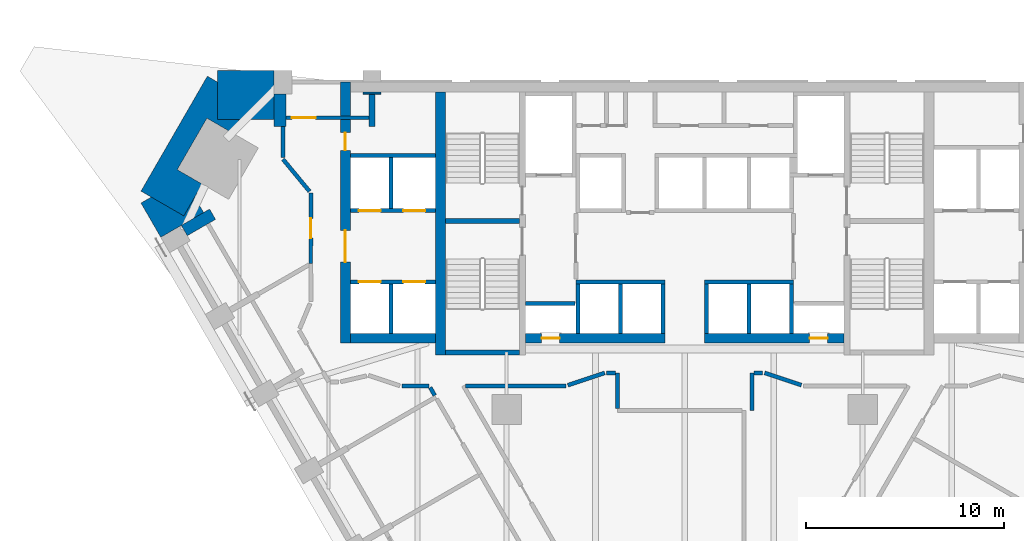
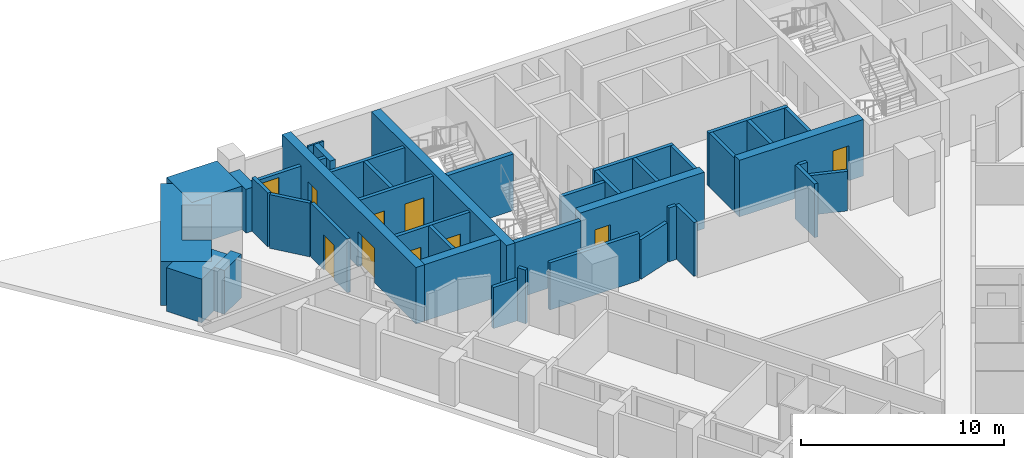
# One storey, part 6 of 10: 41 walls, 10 doors, 10 openings.
"""IFC4 building model written with IfcOpenShell, lengths in metres."""

from ifc_helpers import new_model, si_unit, direction, frame, frame_2d, origin, place, context, subcontext, project, spatial, polyline, rectangle, outline, extrude, material, layer, layer_set, type_object, element, fill, save


model = new_model("IFC4")

# Units and contexts
model_context = context("Model", 3, precision=1e-05, world=origin(), true_north=direction((0.0, 1.0)))
body_context = subcontext(model_context, "Body", "Model", "MODEL_VIEW")
ifc_project = project(units=[si_unit("LENGTHUNIT", "METRE"), si_unit("AREAUNIT", "SQUARE_METRE"), si_unit("VOLUMEUNIT", "CUBIC_METRE"), si_unit("PLANEANGLEUNIT", "RADIAN"), si_unit("MASSUNIT", "GRAM", prefix="KILO")], contexts=[model_context])

# Site, building, storey
site_placement = place(None, origin())
site = spatial("IfcSite", under=ifc_project, at=site_placement, CompositionType="ELEMENT")
building_placement = place(site_placement, origin())
building = spatial("IfcBuilding", under=site, at=building_placement, Name="Calabash Gate Tower", CompositionType="ELEMENT")
storey_placement = place(building_placement, frame((0.0, 0.0, 91.800048828125)))
storey = spatial("IfcBuildingStorey", under=building, at=storey_placement, Name="L19", CompositionType="ELEMENT", Elevation=91.800048828125)

# Walls
ifc_material_1 = material(Name="Terracotta brick masonry, exposed face", Category="masonry")
ifc_layer_1 = layer(ifc_material_1, 2.5)
ifc_layer_set_1 = layer_set([ifc_layer_1], Name="Brick corner mass wall 2500")
wall_type_1 = type_object("IfcWallType", Name="Brick corner mass wall 2500", PredefinedType="SOLIDWALL", material=ifc_layer_set_1)
wall_1_placement = place(storey_placement, origin())
element("IfcWall", 1, at=wall_1_placement, inside=storey, type_object=wall_type_1, Name="Brick corner pier S05 3a", PredefinedType="SOLIDWALL", context=body_context, shape_type="SweptSolid", body=[
    extrude(outline(polyline([(-23.610107421875, 17.152587890625), (-20.755126953125, 17.152587890625), (-20.755126953125, 19.652587890625), (-23.610107421875, 19.652587890625), (-23.610107421875, 17.152587890625)])), origin(), (0.0, 0.0, 1.0), 2.6298828125),
])
wall_2_placement = place(storey_placement, origin())
element("IfcWall", 2, at=wall_2_placement, inside=storey, type_object=wall_type_1, Name="Brick corner pier S05 3b", PredefinedType="SOLIDWALL", context=body_context, shape_type="SweptSolid", body=[
    extrude(outline(polyline([(-22.89111328125, 16.498046875), (-22.51318359375, 17.152587890625), (-23.610107421875, 17.152587890625), (-23.610107421875, 19.052490234375), (-24.1298828125, 19.3525390625), (-27.485107421875, 13.540771484375), (-25.320068359375, 12.290771484375), (-24.39111328125, 13.89990234375), (-25.652099609375, 14.6279296875), (-24.152099609375, 17.22607421875), (-22.89111328125, 16.498046875)])), origin(), (0.0, 0.0, 1.0), 2.6298828125),
])
wall_3_placement = place(storey_placement, origin())
element("IfcWall", 3, at=wall_3_placement, inside=storey, type_object=wall_type_1, Name="Brick corner pier S05 3c", PredefinedType="SOLIDWALL", context=body_context, shape_type="SweptSolid", body=[
    extrude(outline(polyline([(-24.771728515625, 13.240966796875), (-25.320068359375, 12.290771484375), (-26.965576171875, 13.240966796875), (-27.485107421875, 12.94091796875), (-26.4853515625, 11.208984375), (-24.3203125, 12.458984375), (-24.771728515625, 13.240966796875)])), origin(), (0.0, 0.0, 1.0), 2.6298828125),
])
ifc_material_2 = material(Name="Terracotta brick masonry, exposed face", Category="masonry")
ifc_layer_2 = layer(ifc_material_2, 1.199951171875)
ifc_layer_set_2 = layer_set([ifc_layer_2], Name="Brick end wall 1200")
wall_type_2 = type_object("IfcWallType", Name="Brick end wall 1200", PredefinedType="SOLIDWALL", material=ifc_layer_set_2)
wall_4_placement = place(storey_placement, origin())
element("IfcWall", 4, at=wall_4_placement, inside=storey, type_object=wall_type_2, Name="Brick pier S05 N6.7b", PredefinedType="SOLIDWALL", context=body_context, shape_type="SweptSolid", body=[
    extrude(outline(polyline([(-15.35498046875, 18.45263671875), (-15.35498046875, 18.552490234375), (-16.255126953125, 18.552490234375), (-16.255126953125, 18.45263671875), (-15.35498046875, 18.45263671875)])), origin(), (0.0, 0.0, 1.0), 2.64990234375),
])
ifc_material_3 = material(Name="Terracotta brick masonry, exposed face", Category="masonry")
ifc_layer_3 = layer(ifc_material_3, 0.300048828125)
ifc_layer_set_3 = layer_set([ifc_layer_3], Name="Brick loggia cheek wall 300")
wall_type_3 = type_object("IfcWallType", Name="Brick loggia cheek wall 300", PredefinedType="SOLIDWALL", material=ifc_layer_set_3)
wall_5_placement = place(storey_placement, frame((-25.296142578125, 11.54931640625, 0.0), z_axis=(0.0, 0.0, 1.0), x_axis=(0.866040211805, 0.499974350878, 0.0)))
element("IfcWall", 5, at=wall_5_placement, inside=storey, type_object=wall_type_3, Name="Loggia cheek S05 SW0.0", PredefinedType="SOLIDWALL", context=body_context, shape_type="SweptSolid", body=[
    extrude(rectangle(XDim=1.64990234375, YDim=0.60009765625, at=frame_2d((0.824951171875, 0.0))), origin(), (0.0, 0.0, 1.0), 2.6298828125),
])
wall_6_placement = place(storey_placement, origin())
element("IfcWall", 6, at=wall_6_placement, inside=storey, type_object=wall_type_3, Name="Loggia cheek S05 N6.7", PredefinedType="SOLIDWALL", context=body_context, shape_type="SweptSolid", body=[
    extrude(outline(polyline([(-15.655029296875, 16.802490234375), (-15.655029296875, 18.45263671875), (-15.955078125, 18.45263671875), (-15.955078125, 16.802490234375), (-15.655029296875, 16.802490234375)])), origin(), (0.0, 0.0, 1.0), 2.64990234375),
])
wall_7_placement = place(storey_placement, origin())
element("IfcWall", 7, at=wall_7_placement, inside=storey, type_object=wall_type_3, Name="Loggia cheek S05 N6.8", PredefinedType="SOLIDWALL", context=body_context, shape_type="SweptSolid", body=[
    extrude(outline(polyline([(-20.755126953125, 18.45263671875), (-20.755126953125, 16.802490234375), (-20.155029296875, 16.802490234375), (-20.155029296875, 18.45263671875), (-20.755126953125, 18.45263671875)])), origin(), (0.0, 0.0, 1.0), 2.6298828125),
])
ifc_material_4 = material(Name="Concrete C80/95", Category="concrete")
ifc_layer_4 = layer(ifc_material_4, 0.25)
ifc_layer_set_4 = layer_set([ifc_layer_4], Name="Core wall 250 Concrete C80/95")
wall_type_4 = type_object("IfcWallType", Name="Core wall 250 Concrete C80/95", PredefinedType="SHEAR", material=ifc_layer_set_4)
for number, where, z_axis, x_axis, name in (
    (8, (-12.10009765625, 12.027587890625, 0.0), (0.0, 0.0, 1.0), (1.0, 0.0, 0.0), "Core wall Z2-MIDW L19"),
    (9, (-12.10009765625, 5.377685546875, 0.0), (0.0, 0.0, 1.0), (1.0, 0.0, 0.0), "Core wall Z2-SSW L19"),
):
    element("IfcWall", number, at=place(storey_placement, frame(where, z_axis=z_axis, x_axis=x_axis)), inside=storey, type_object=wall_type_4, Name=name, PredefinedType="SHEAR", context=body_context, shape_type="SweptSolid", body=[
        extrude(rectangle(XDim=3.75, YDim=0.25, at=frame_2d((1.875, 0.0))), origin(), (0.0, 0.0, 1.0), 3.39990234375),
    ])
ifc_material_5 = material(Name="Concrete C80/95", Category="concrete")
ifc_layer_5 = layer(ifc_material_5, 0.5)
ifc_layer_set_5 = layer_set([ifc_layer_5], Name="Core wall 500 Concrete C80/95")
wall_type_5 = type_object("IfcWallType", Name="Core wall 500 Concrete C80/95", PredefinedType="SHEAR", material=ifc_layer_set_5)
wall_8_placement = place(storey_placement, frame((-12.35009765625, 5.252685546875, 0.0), z_axis=(0.0, 0.0, 1.0), x_axis=(0.0, 1.0, 0.0)))
element("IfcWall", 10, at=wall_8_placement, inside=storey, type_object=wall_type_5, Name="Core wall Z2-COLW L19", PredefinedType="SHEAR", context=body_context, shape_type="SweptSolid", body=[
    extrude(rectangle(XDim=13.2998046875, YDim=0.5, at=frame_2d((6.64990234375, 0.0))), origin(), (0.0, 0.0, 1.0), 3.39990234375),
])

# Wall, opening, door
wall_9_placement = place(storey_placement, frame((-8.050048828125, 6.1025390625, 0.0), z_axis=(0.0, 0.0, 1.0), x_axis=(1.0, 0.0, 0.0)))
wall_9 = element("IfcWall", 11, at=wall_9_placement, inside=storey, type_object=wall_type_5, Name="Core wall Z2-SA L19", PredefinedType="SHEAR", context=body_context, shape_type="SweptSolid", body=[
    extrude(rectangle(XDim=7.050048828125, YDim=0.5, at=frame_2d((3.52490234375, 0.0))), origin(), (0.0, 0.0, 1.0), 3.39990234375),
])
opening_1_placement = place(wall_9_placement, frame((0.824951171875, 0.0, 0.0)))
opening_1 = element("IfcOpeningElement", 12, at=opening_1_placement, cuts=wall_9, Name="Opening H5-013", PredefinedType="OPENING", context=body_context, shape_type="SweptSolid", body=[
    extrude(rectangle(XDim=0.89990234375, YDim=2.10009765625, at=frame_2d((0.449951171875, 1.050048828125))), frame((0.0, 0.260009765625, 0.0), z_axis=(0.0, -1.0, 0.0), x_axis=(1.0, 0.0, 0.0)), (0.0, 0.0, 1.0), 0.52001953125),
])
ifc_material_6 = material(Name="Steel fire door set with fire-resisting glazing", Category="steel")
door_type_1 = type_object("IfcDoorType", Name="Fire door D07 900x2100 FD90", OperationType="NOTDEFINED", PredefinedType="DOOR", material=ifc_material_6)
door_1_placement = place(opening_1_placement, origin())
door_1 = element("IfcDoor", 13, at=door_1_placement, inside=storey, type_object=door_type_1, Name="Electrical Riser W door", OperationType="SINGLE_SWING_LEFT", OverallHeight=2.10009765625, OverallWidth=0.89990234375, PredefinedType="DOOR", context=body_context, shape_type="SweptSolid", body=[
    extrude(rectangle(XDim=0.89990234375, YDim=2.10009765625, at=frame_2d((0.449951171875, 1.050048828125))), frame((0.0, 0.02490234375, 0.0), z_axis=(0.0, -1.0, 0.0), x_axis=(1.0, 0.0, 0.0)), (0.0, 0.0, 1.0), 0.050048828125),
])
fill(opening_1, door_1)

wall_10_placement = place(storey_placement, frame((1.0, 6.1025390625, 0.0), z_axis=(0.0, 0.0, 1.0), x_axis=(1.0, 0.0, 0.0)))
wall_10 = element("IfcWall", 14, at=wall_10_placement, inside=storey, type_object=wall_type_5, Name="Core wall Z2-SB L19", PredefinedType="SHEAR", context=body_context, shape_type="SweptSolid", body=[
    extrude(rectangle(XDim=7.050048828125, YDim=0.5, at=frame_2d((3.52490234375, 0.0))), origin(), (0.0, 0.0, 1.0), 3.39990234375),
])
opening_2_placement = place(wall_10_placement, frame((5.324951171875, 0.0, 0.0)))
opening_2 = element("IfcOpeningElement", 15, at=opening_2_placement, cuts=wall_10, Name="Opening H5-012", PredefinedType="OPENING", context=body_context, shape_type="SweptSolid", body=[
    extrude(rectangle(XDim=0.89990234375, YDim=2.10009765625, at=frame_2d((0.449951171875, 1.050048828125))), frame((0.0, 0.260009765625, 0.0), z_axis=(0.0, -1.0, 0.0), x_axis=(1.0, 0.0, 0.0)), (0.0, 0.0, 1.0), 0.52001953125),
])
door_2_placement = place(opening_2_placement, origin())
door_2 = element("IfcDoor", 16, at=door_2_placement, inside=storey, type_object=door_type_1, Name="Mechanical Riser E door", OperationType="SINGLE_SWING_RIGHT", OverallHeight=2.10009765625, OverallWidth=0.89990234375, PredefinedType="DOOR", context=body_context, shape_type="SweptSolid", body=[
    extrude(rectangle(XDim=0.89990234375, YDim=2.10009765625, at=frame_2d((0.449951171875, 1.050048828125))), frame((0.0, 0.02490234375, 0.0), z_axis=(0.0, -1.0, 0.0), x_axis=(1.0, 0.0, 0.0)), (0.0, 0.0, 1.0), 0.050048828125),
])
fill(opening_2, door_2)

# Wall
wall_11_placement = place(storey_placement, frame((-12.60009765625, 6.1025390625, 0.0), z_axis=(0.0, 0.0, 1.0), x_axis=(-1.0, 0.0, 0.0)))
element("IfcWall", 17, at=wall_11_placement, inside=storey, type_object=wall_type_5, Name="Core wall Z2-SW L19", PredefinedType="SHEAR", context=body_context, shape_type="SweptSolid", body=[
    extrude(rectangle(XDim=4.2998046875, YDim=0.5, at=frame_2d((2.14990234375, 0.0))), origin(), (0.0, 0.0, 1.0), 3.39990234375),
])

# Wall, openings, doors
wall_12_placement = place(storey_placement, frame((-17.14990234375, 5.8525390625, 0.0), z_axis=(0.0, 0.0, 1.0), x_axis=(0.0, 1.0, 0.0)))
wall_12 = element("IfcWall", 18, at=wall_12_placement, inside=storey, type_object=wall_type_5, Name="Core wall Z2-ENDW L19", PredefinedType="SHEAR", context=body_context, shape_type="SweptSolid", body=[
    extrude(rectangle(XDim=13.199951171875, YDim=0.5, at=frame_2d((6.60009765625, 0.0))), origin(), (0.0, 0.0, 1.0), 3.39990234375),
])
opening_3_placement = place(wall_12_placement, frame((4.10009765625, 0.0, 0.0)))
opening_3 = element("IfcOpeningElement", 19, at=opening_3_placement, cuts=wall_12, Name="Opening H5-003", PredefinedType="OPENING", context=body_context, shape_type="SweptSolid", body=[
    extrude(rectangle(XDim=1.60009765625, YDim=2.10009765625, at=frame_2d((0.800048828125, 1.050048828125))), frame((0.0, 0.260009765625, 0.0), z_axis=(0.0, -1.0, 0.0), x_axis=(1.0, 0.0, 0.0)), (0.0, 0.0, 1.0), 0.52001953125),
])
opening_4_placement = place(wall_12_placement, frame((9.75, 0.0, 0.0)))
opening_4 = element("IfcOpeningElement", 20, at=opening_4_placement, cuts=wall_12, Name="Opening H5-004", PredefinedType="OPENING", context=body_context, shape_type="SweptSolid", body=[
    extrude(rectangle(XDim=0.89990234375, YDim=2.10009765625, at=frame_2d((0.449951171875, 1.050048828125))), frame((0.0, 0.260009765625, 0.0), z_axis=(0.0, -1.0, 0.0), x_axis=(1.0, 0.0, 0.0)), (0.0, 0.0, 1.0), 0.52001953125),
])
ifc_material_7 = material(Name="Steel fire door set with fire-resisting glazing", Category="steel")
door_type_2 = type_object("IfcDoorType", Name="Double fire door D08 1600x2100 FD60", OperationType="DOUBLE_DOOR_SINGLE_SWING", PredefinedType="DOOR", material=ifc_material_7)
door_3_placement = place(opening_3_placement, origin())
door_3 = element("IfcDoor", 21, at=door_3_placement, inside=storey, type_object=door_type_2, Name="Low-rise Lift Lobby W door", OperationType="DOUBLE_DOOR_SINGLE_SWING", OverallHeight=2.10009765625, OverallWidth=1.60009765625, PredefinedType="DOOR", context=body_context, shape_type="SweptSolid", body=[
    extrude(rectangle(XDim=1.60009765625, YDim=2.10009765625, at=frame_2d((0.800048828125, 1.050048828125))), frame((0.0, 0.02490234375, 0.0), z_axis=(0.0, -1.0, 0.0), x_axis=(1.0, 0.0, 0.0)), (0.0, 0.0, 1.0), 0.050048828125),
])
fill(opening_3, door_3)
ifc_material_8 = material(Name="Steel fire door set with fire-resisting glazing", Category="steel")
door_type_3 = type_object("IfcDoorType", Name="Fire door D06 900x2100 FD60", OperationType="NOTDEFINED", PredefinedType="DOOR", material=ifc_material_8)
door_4_placement = place(opening_4_placement, origin())
door_4 = element("IfcDoor", 22, at=door_4_placement, inside=storey, type_object=door_type_3, Name="Linen Store door", OperationType="SINGLE_SWING_RIGHT", OverallHeight=2.10009765625, OverallWidth=0.89990234375, PredefinedType="DOOR", context=body_context, shape_type="SweptSolid", body=[
    extrude(rectangle(XDim=0.89990234375, YDim=2.10009765625, at=frame_2d((0.449951171875, 1.050048828125))), frame((0.0, 0.02490234375, 0.0), z_axis=(0.0, -1.0, 0.0), x_axis=(1.0, 0.0, 0.0)), (0.0, 0.0, 1.0), 0.050048828125),
])
fill(opening_4, door_4)

# Walls
ifc_material_9 = material(Name="Gypsum board on steel studs, mineral wool", Category="steel")
ifc_layer_6 = layer(ifc_material_9, 0.199951171875)
ifc_layer_set_6 = layer_set([ifc_layer_6], Name="Partition 200 gypsum board EI 60")
wall_type_6 = type_object("IfcWallType", Name="Partition 200 gypsum board EI 60", PredefinedType="PARTITIONING", material=ifc_layer_set_6)
wall_13_placement = place(storey_placement, frame((-3.402099609375, 4.3505859375, 0.0), z_axis=(0.0, 0.0, 1.0), x_axis=(0.001086217961, -0.999999410065, 0.0)))
element("IfcWall", 23, at=wall_13_placement, inside=storey, type_object=wall_type_6, Name="Partition", PredefinedType="PARTITIONING", context=body_context, shape_type="SweptSolid", body=[
    extrude(rectangle(XDim=1.798095703125, YDim=0.199951171875, at=frame_2d((0.89892578125, 0.0))), origin(), (0.0, 0.0, 1.0), 3.22998046875),
])
wall_14_placement = place(storey_placement, frame((-12.86279296875, 3.61279296875, 0.0), z_axis=(0.0, 0.0, 1.0), x_axis=(0.49808198686, -0.867129940877, 0.0)))
element("IfcWall", 24, at=wall_14_placement, inside=storey, type_object=wall_type_6, Name="Partition", PredefinedType="PARTITIONING", context=body_context, shape_type="SweptSolid", body=[
    extrude(rectangle(XDim=0.459716796875, YDim=0.199951171875, at=frame_2d((0.22998046875, 0.0))), origin(), (0.0, 0.0, 1.0), 3.22998046875),
])
wall_15_placement = place(storey_placement, frame((-14.300048828125, 3.699462890625, 0.0), z_axis=(0.0, 0.0, 1.0), x_axis=(1.0, 0.0, 0.0)))
element("IfcWall", 25, at=wall_15_placement, inside=storey, type_object=wall_type_6, Name="Partition", PredefinedType="PARTITIONING", context=body_context, shape_type="SweptSolid", body=[
    extrude(rectangle(XDim=1.387451171875, YDim=0.199951171875, at=frame_2d((0.69384765625, 0.0))), origin(), (0.0, 0.0, 1.0), 2.473388671875),
])
wall_16_placement = place(storey_placement, frame((-11.080078125, 3.69970703125, 0.0), z_axis=(0.0, 0.0, 1.0), x_axis=(1.0, 0.0, 0.0)))
element("IfcWall", 26, at=wall_16_placement, inside=storey, type_object=wall_type_6, Name="Partition", PredefinedType="PARTITIONING", context=body_context, shape_type="SweptSolid", body=[
    extrude(rectangle(XDim=5.080078125, YDim=0.199951171875, at=frame_2d((2.5400390625, 0.0))), origin(), (0.0, 0.0, 1.0), 2.83154296875),
])
for number, where, z_axis, x_axis, name in (
    (27, (4.042236328125, 4.352294921875, 0.0), (0.0, 0.0, 1.0), (0.948695731075, -0.316190464499, 0.0), "Partition"),
    (28, (-5.905029296875, 3.7314453125, 0.0), (0.0, 0.0, 1.0), (0.948695731075, 0.316190464499, 0.0), "Partition"),
):
    element("IfcWall", number, at=place(storey_placement, frame(where, z_axis=z_axis, x_axis=x_axis)), inside=storey, type_object=wall_type_6, Name=name, PredefinedType="PARTITIONING", context=body_context, shape_type="SweptSolid", body=[
        extrude(rectangle(XDim=1.963623046875, YDim=0.199951171875, at=frame_2d((0.98193359375, 0.0))), origin(), (0.0, 0.0, 1.0), 2.384033203125),
    ])
wall_17_placement = place(storey_placement, frame((-3.9423828125, 4.35205078125, 0.0), z_axis=(0.0, 0.0, 1.0), x_axis=(0.999996159087, -0.00277160798, 0.0)))
element("IfcWall", 29, at=wall_17_placement, inside=storey, type_object=wall_type_6, Name="Partition", PredefinedType="PARTITIONING", context=body_context, shape_type="SweptSolid", body=[
    extrude(rectangle(XDim=0.4404296875, YDim=0.199951171875, at=frame_2d((0.22021484375, 0.0))), origin(), (0.0, 0.0, 1.0), 3.22998046875),
])
wall_18_placement = place(storey_placement, frame((3.400146484375, 2.452392578125, 0.0), z_axis=(0.0, 0.0, 1.0), x_axis=(0.001028938362, 0.999999470643, 0.0)))
element("IfcWall", 30, at=wall_18_placement, inside=storey, type_object=wall_type_6, Name="Partition", PredefinedType="PARTITIONING", context=body_context, shape_type="SweptSolid", body=[
    extrude(rectangle(XDim=1.898193359375, YDim=0.199951171875, at=frame_2d((0.94921875, 0.0))), origin(), (0.0, 0.0, 1.0), 3.22998046875),
])
wall_19_placement = place(storey_placement, frame((3.501953125, 4.350830078125, 0.0), z_axis=(0.0, 0.0, 1.0), x_axis=(0.999996159087, 0.00277160798, 0.0)))
element("IfcWall", 31, at=wall_19_placement, inside=storey, type_object=wall_type_6, Name="Partition", PredefinedType="PARTITIONING", context=body_context, shape_type="SweptSolid", body=[
    extrude(rectangle(XDim=0.4404296875, YDim=0.199951171875, at=frame_2d((0.22021484375, 0.0))), origin(), (0.0, 0.0, 1.0), 3.22998046875),
])

# Wall, opening, door
wall_20_placement = place(storey_placement, frame((-18.902099609375, 9.87158203125, 0.0), z_axis=(0.0, 0.0, 1.0), x_axis=(0.000477261826, 0.999999886111, 0.0)))
wall_20 = element("IfcWall", 32, at=wall_20_placement, inside=storey, type_object=wall_type_6, Name="Partition", PredefinedType="PARTITIONING", context=body_context, shape_type="SweptSolid", body=[
    extrude(rectangle(XDim=3.580810546875, YDim=0.199951171875, at=frame_2d((1.79052734375, 0.0))), origin(), (0.0, 0.0, 1.0), 3.22998046875),
])
opening_5_placement = place(wall_20_placement, frame((1.291015625, 0.0, 0.0)))
opening_5 = element("IfcOpeningElement", 33, at=opening_5_placement, cuts=wall_20, Name="Opening 19-21-020", PredefinedType="OPENING", context=body_context, shape_type="SweptSolid", body=[
    extrude(rectangle(XDim=1.0, YDim=2.10009765625, at=frame_2d((0.5, 1.050048828125))), frame((0.0, 0.10986328125, 0.0), z_axis=(0.0, -1.0, 0.0), x_axis=(1.0, 0.0, 0.0)), (0.0, 0.0, 1.0), 0.219970703125),
])
ifc_material_10 = material(Name="Steel fire door set with fire-resisting glazing", Category="steel")
door_type_4 = type_object("IfcDoorType", Name="LD2 Meeting room door 1000x2100", OperationType="NOTDEFINED", PredefinedType="DOOR", material=ifc_material_10)
door_5_placement = place(opening_5_placement, origin())
door_5 = element("IfcDoor", 34, at=door_5_placement, inside=storey, type_object=door_type_4, Name="Meeting room door", OperationType="SINGLE_SWING_RIGHT", OverallHeight=2.10009765625, OverallWidth=1.0, PredefinedType="DOOR", context=body_context, shape_type="SweptSolid", body=[
    extrude(rectangle(XDim=1.0, YDim=2.10009765625, at=frame_2d((0.5, 1.050048828125))), frame((0.0, 0.02490234375, 0.0), z_axis=(0.0, -1.0, 0.0), x_axis=(1.0, 0.0, 0.0)), (0.0, 0.0, 1.0), 0.050048828125),
])
fill(opening_5, door_5)

# Walls
wall_21_placement = place(storey_placement, frame((-20.3056640625, 15.15234375, 0.0), z_axis=(0.0, 0.0, 1.0), x_axis=(0.637157085783, -0.770733967097, 0.0)))
element("IfcWall", 35, at=wall_21_placement, inside=storey, type_object=wall_type_6, Name="Partition", PredefinedType="PARTITIONING", context=body_context, shape_type="SweptSolid", body=[
    extrude(rectangle(XDim=2.10546875, YDim=0.199951171875, at=frame_2d((1.052734375, 0.0))), origin(), (0.0, 0.0, 1.0), 3.22998046875),
])
wall_22_placement = place(storey_placement, frame((-20.3056640625, 16.802490234375, 0.0), z_axis=(0.0, 0.0, 1.0), x_axis=(0.0, -1.0, 0.0)))
element("IfcWall", 36, at=wall_22_placement, inside=storey, type_object=wall_type_6, Name="Partition", PredefinedType="PARTITIONING", context=body_context, shape_type="SweptSolid", body=[
    extrude(rectangle(XDim=1.550048828125, YDim=0.199951171875, at=frame_2d((0.77490234375, 0.0))), origin(), (0.0, 0.0, 1.0), 3.22998046875),
])
ifc_material_11 = material(Name="Concrete C40/50", Category="concrete")
ifc_layer_7 = layer(ifc_material_11, 0.199951171875)
ifc_layer_set_7 = layer_set([ifc_layer_7], Name="Shaft wall 200 Concrete C40/50")
wall_type_7 = type_object("IfcWallType", Name="Shaft wall 200 Concrete C40/50", PredefinedType="SOLIDWALL", material=ifc_layer_set_7)
for number, where, z_axis, x_axis, name in (
    (37, (-14.85009765625, 6.3525390625, 0.0), (0.0, 0.0, 1.0), (0.0, 1.0, 0.0), "Shaft wall"),
    (38, (-5.39990234375, 6.3525390625, 0.0), (0.0, 0.0, 1.0), (0.0, 1.0, 0.0), "Shaft wall"),
    (39, (-3.25, 6.3525390625, 0.0), (0.0, 0.0, 1.0), (0.0, 1.0, 0.0), "Shaft wall"),
    (40, (-1.10009765625, 6.3525390625, 0.0), (0.0, 0.0, 1.0), (0.0, 1.0, 0.0), "Shaft wall"),
    (41, (1.10009765625, 6.3525390625, 0.0), (0.0, 0.0, 1.0), (0.0, 1.0, 0.0), "Shaft wall"),
    (42, (3.25, 6.3525390625, 0.0), (0.0, 0.0, 1.0), (0.0, 1.0, 0.0), "Shaft wall"),
    (43, (5.39990234375, 6.3525390625, 0.0), (0.0, 0.0, 1.0), (0.0, 1.0, 0.0), "Shaft wall"),
    (44, (-8.050048828125, 7.8525390625, 0.0), (0.0, 0.0, 1.0), (1.0, 0.0, 0.0), "Shaft wall"),
):
    element("IfcWall", number, at=place(storey_placement, frame(where, z_axis=z_axis, x_axis=x_axis)), inside=storey, type_object=wall_type_7, Name=name, PredefinedType="SOLIDWALL", context=body_context, shape_type="SweptSolid", body=[
        extrude(rectangle(XDim=2.5, YDim=0.199951171875, at=frame_2d((1.25, 0.0))), origin(), (0.0, 0.0, 1.0), 3.22998046875),
    ])

# Wall, openings, doors
wall_23_placement = place(storey_placement, frame((-16.89990234375, 8.95263671875, 0.0), z_axis=(0.0, 0.0, 1.0), x_axis=(1.0, 0.0, 0.0)))
wall_23 = element("IfcWall", 45, at=wall_23_placement, inside=storey, type_object=wall_type_7, Name="Shaft wall", PredefinedType="SOLIDWALL", context=body_context, shape_type="SweptSolid", body=[
    extrude(rectangle(XDim=4.2998046875, YDim=0.199951171875, at=frame_2d((2.14990234375, 0.0))), origin(), (0.0, 0.0, 1.0), 3.22998046875),
])
opening_6_placement = place(wall_23_placement, frame((2.675048828125, 0.0, 0.0)))
opening_6 = element("IfcOpeningElement", 46, at=opening_6_placement, cuts=wall_23, Name="Opening LD-LR1", PredefinedType="OPENING", context=body_context, shape_type="SweptSolid", body=[
    extrude(rectangle(XDim=1.10009765625, YDim=2.10009765625, at=frame_2d((0.550048828125, 1.050048828125))), frame((0.0, 0.10986328125, 0.0), z_axis=(0.0, -1.0, 0.0), x_axis=(1.0, 0.0, 0.0)), (0.0, 0.0, 1.0), 0.219970703125),
])
opening_7_placement = place(wall_23_placement, frame((0.425048828125, 0.0, 0.0)))
opening_7 = element("IfcOpeningElement", 47, at=opening_7_placement, cuts=wall_23, Name="Opening LD-LR2", PredefinedType="OPENING", context=body_context, shape_type="SweptSolid", body=[
    extrude(rectangle(XDim=1.10009765625, YDim=2.10009765625, at=frame_2d((0.550048828125, 1.050048828125))), frame((0.0, 0.10986328125, 0.0), z_axis=(0.0, -1.0, 0.0), x_axis=(1.0, 0.0, 0.0)), (0.0, 0.0, 1.0), 0.219970703125),
])
ifc_material_12 = material(Name="Stainless steel sliding door leaves", Category="steel")
door_type_5 = type_object("IfcDoorType", Name="Lift landing door LS1 1100x2100 FD90", OperationType="DOUBLE_DOOR_SLIDING", PredefinedType="DOOR", material=ifc_material_12)
door_6_placement = place(opening_6_placement, origin())
door_6 = element("IfcDoor", 48, at=door_6_placement, inside=storey, type_object=door_type_5, Name="Lift landing door LR1", OperationType="DOUBLE_DOOR_SLIDING", OverallHeight=2.10009765625, OverallWidth=1.10009765625, PredefinedType="DOOR", context=body_context, shape_type="SweptSolid", body=[
    extrude(rectangle(XDim=1.10009765625, YDim=2.10009765625, at=frame_2d((0.550048828125, 1.050048828125))), frame((0.0, 0.02490234375, 0.0), z_axis=(0.0, -1.0, 0.0), x_axis=(1.0, 0.0, 0.0)), (0.0, 0.0, 1.0), 0.050048828125),
])
fill(opening_6, door_6)
door_7_placement = place(opening_7_placement, origin())
door_7 = element("IfcDoor", 49, at=door_7_placement, inside=storey, type_object=door_type_5, Name="Lift landing door LR2", OperationType="DOUBLE_DOOR_SLIDING", OverallHeight=2.10009765625, OverallWidth=1.10009765625, PredefinedType="DOOR", context=body_context, shape_type="SweptSolid", body=[
    extrude(rectangle(XDim=1.10009765625, YDim=2.10009765625, at=frame_2d((0.550048828125, 1.050048828125))), frame((0.0, 0.02490234375, 0.0), z_axis=(0.0, -1.0, 0.0), x_axis=(1.0, 0.0, 0.0)), (0.0, 0.0, 1.0), 0.050048828125),
])
fill(opening_7, door_7)

# Walls
for number, where, z_axis, x_axis, name in (
    (50, (-5.5, 8.95263671875, 0.0), (0.0, 0.0, 1.0), (1.0, 0.0, 0.0), "Shaft wall"),
    (51, (1.0, 8.95263671875, 0.0), (0.0, 0.0, 1.0), (1.0, 0.0, 0.0), "Shaft wall"),
):
    element("IfcWall", number, at=place(storey_placement, frame(where, z_axis=z_axis, x_axis=x_axis)), inside=storey, type_object=wall_type_7, Name=name, PredefinedType="SOLIDWALL", context=body_context, shape_type="SweptSolid", body=[
        extrude(rectangle(XDim=4.5, YDim=0.199951171875, at=frame_2d((2.25, 0.0))), origin(), (0.0, 0.0, 1.0), 3.22998046875),
    ])

# Wall, openings, doors
wall_24_placement = place(storey_placement, frame((-16.89990234375, 12.552490234375, 0.0), z_axis=(0.0, 0.0, 1.0), x_axis=(1.0, 0.0, 0.0)))
wall_24 = element("IfcWall", 52, at=wall_24_placement, inside=storey, type_object=wall_type_7, Name="Shaft wall", PredefinedType="SOLIDWALL", context=body_context, shape_type="SweptSolid", body=[
    extrude(rectangle(XDim=4.2998046875, YDim=0.199951171875, at=frame_2d((2.14990234375, 0.0))), origin(), (0.0, 0.0, 1.0), 3.22998046875),
])
opening_8_placement = place(wall_24_placement, frame((2.675048828125, 0.0, 0.0)))
opening_8 = element("IfcOpeningElement", 53, at=opening_8_placement, cuts=wall_24, Name="Opening LD-LR3", PredefinedType="OPENING", context=body_context, shape_type="SweptSolid", body=[
    extrude(rectangle(XDim=1.10009765625, YDim=2.10009765625, at=frame_2d((0.550048828125, 1.050048828125))), frame((0.0, 0.10986328125, 0.0), z_axis=(0.0, -1.0, 0.0), x_axis=(1.0, 0.0, 0.0)), (0.0, 0.0, 1.0), 0.219970703125),
])
opening_9_placement = place(wall_24_placement, frame((0.425048828125, 0.0, 0.0)))
opening_9 = element("IfcOpeningElement", 54, at=opening_9_placement, cuts=wall_24, Name="Opening LD-LR4", PredefinedType="OPENING", context=body_context, shape_type="SweptSolid", body=[
    extrude(rectangle(XDim=1.10009765625, YDim=2.10009765625, at=frame_2d((0.550048828125, 1.050048828125))), frame((0.0, 0.10986328125, 0.0), z_axis=(0.0, -1.0, 0.0), x_axis=(1.0, 0.0, 0.0)), (0.0, 0.0, 1.0), 0.219970703125),
])
door_8_placement = place(opening_8_placement, origin())
door_8 = element("IfcDoor", 55, at=door_8_placement, inside=storey, type_object=door_type_5, Name="Lift landing door LR3", OperationType="DOUBLE_DOOR_SLIDING", OverallHeight=2.10009765625, OverallWidth=1.10009765625, PredefinedType="DOOR", context=body_context, shape_type="SweptSolid", body=[
    extrude(rectangle(XDim=1.10009765625, YDim=2.10009765625, at=frame_2d((0.550048828125, 1.050048828125))), frame((0.0, 0.02490234375, 0.0), z_axis=(0.0, -1.0, 0.0), x_axis=(1.0, 0.0, 0.0)), (0.0, 0.0, 1.0), 0.050048828125),
])
fill(opening_8, door_8)
door_9_placement = place(opening_9_placement, origin())
door_9 = element("IfcDoor", 56, at=door_9_placement, inside=storey, type_object=door_type_5, Name="Lift landing door LR4", OperationType="DOUBLE_DOOR_SLIDING", OverallHeight=2.10009765625, OverallWidth=1.10009765625, PredefinedType="DOOR", context=body_context, shape_type="SweptSolid", body=[
    extrude(rectangle(XDim=1.10009765625, YDim=2.10009765625, at=frame_2d((0.550048828125, 1.050048828125))), frame((0.0, 0.02490234375, 0.0), z_axis=(0.0, -1.0, 0.0), x_axis=(1.0, 0.0, 0.0)), (0.0, 0.0, 1.0), 0.050048828125),
])
fill(opening_9, door_9)

# Walls
wall_25_placement = place(storey_placement, frame((-14.85009765625, 12.652587890625, 0.0), z_axis=(0.0, 0.0, 1.0), x_axis=(0.0, 1.0, 0.0)))
element("IfcWall", 57, at=wall_25_placement, inside=storey, type_object=wall_type_7, Name="Shaft wall", PredefinedType="SOLIDWALL", context=body_context, shape_type="SweptSolid", body=[
    extrude(rectangle(XDim=2.60009765625, YDim=0.199951171875, at=frame_2d((1.300048828125, 0.0))), origin(), (0.0, 0.0, 1.0), 3.22998046875),
])
wall_26_placement = place(storey_placement, frame((-16.89990234375, 15.3525390625, 0.0), z_axis=(0.0, 0.0, 1.0), x_axis=(1.0, 0.0, 0.0)))
element("IfcWall", 58, at=wall_26_placement, inside=storey, type_object=wall_type_7, Name="Shaft wall", PredefinedType="SOLIDWALL", context=body_context, shape_type="SweptSolid", body=[
    extrude(rectangle(XDim=4.2998046875, YDim=0.199951171875, at=frame_2d((2.14990234375, 0.0))), origin(), (0.0, 0.0, 1.0), 3.22998046875),
])

# Wall, opening, door
ifc_material_13 = material(Name="Aluminium framed window wall with insulated spandrel", Category="aluminium")
ifc_layer_8 = layer(ifc_material_13, 0.199951171875)
ifc_layer_set_8 = layer_set([ifc_layer_8], Name="Window wall 200")
wall_type_8 = type_object("IfcWallType", Name="Window wall 200", PredefinedType="ELEMENTEDWALL", material=ifc_layer_set_8)
wall_27_placement = place(storey_placement, frame((-15.955078125, 17.25244140625, 0.0), z_axis=(0.0, 0.0, 1.0), x_axis=(-1.0, 0.0, 0.0)))
wall_27 = element("IfcWall", 59, at=wall_27_placement, inside=storey, type_object=wall_type_8, Name="Window wall S05 N6.8", PredefinedType="ELEMENTEDWALL", context=body_context, shape_type="SweptSolid", body=[
    extrude(rectangle(XDim=4.199951171875, YDim=0.199951171875, at=frame_2d((2.10009765625, 0.0))), origin(), (0.0, 0.0, 1.0), 2.64990234375),
])
opening_10_placement = place(wall_27_placement, frame((2.699951171875, 0.0, 0.0)))
opening_10 = element("IfcOpeningElement", 60, at=opening_10_placement, cuts=wall_27, Name="Opening H5-018", PredefinedType="OPENING", context=body_context, shape_type="SweptSolid", body=[
    extrude(rectangle(XDim=1.199951171875, YDim=2.39990234375, at=frame_2d((0.60009765625, 1.199951171875))), frame((0.0, 0.10986328125, 0.0), z_axis=(0.0, -1.0, 0.0), x_axis=(1.0, 0.0, 0.0)), (0.0, 0.0, 1.0), 0.219970703125),
])
ifc_material_14 = material(Name="Anodised aluminium frame, bronze finish, impact-rated laminated clear glazing", Category="aluminium")
door_type_6 = type_object("IfcDoorType", Name="Loggia door DH1 1200x2400", OperationType="SLIDING_TO_LEFT", PredefinedType="DOOR", material=ifc_material_14)
door_10_placement = place(opening_10_placement, origin())
door_10 = element("IfcDoor", 61, at=door_10_placement, inside=storey, type_object=door_type_6, Name="Loggia door S05 N6.8", OperationType="SINGLE_SWING_LEFT", OverallHeight=2.39990234375, OverallWidth=1.199951171875, PredefinedType="DOOR", context=body_context, shape_type="SweptSolid", body=[
    extrude(rectangle(XDim=1.199951171875, YDim=2.39990234375, at=frame_2d((0.60009765625, 1.199951171875))), frame((0.0, 0.02490234375, 0.0), z_axis=(0.0, -1.0, 0.0), x_axis=(1.0, 0.0, 0.0)), (0.0, 0.0, 1.0), 0.050048828125),
])
fill(opening_10, door_10)

save(model, "model.ifc")
